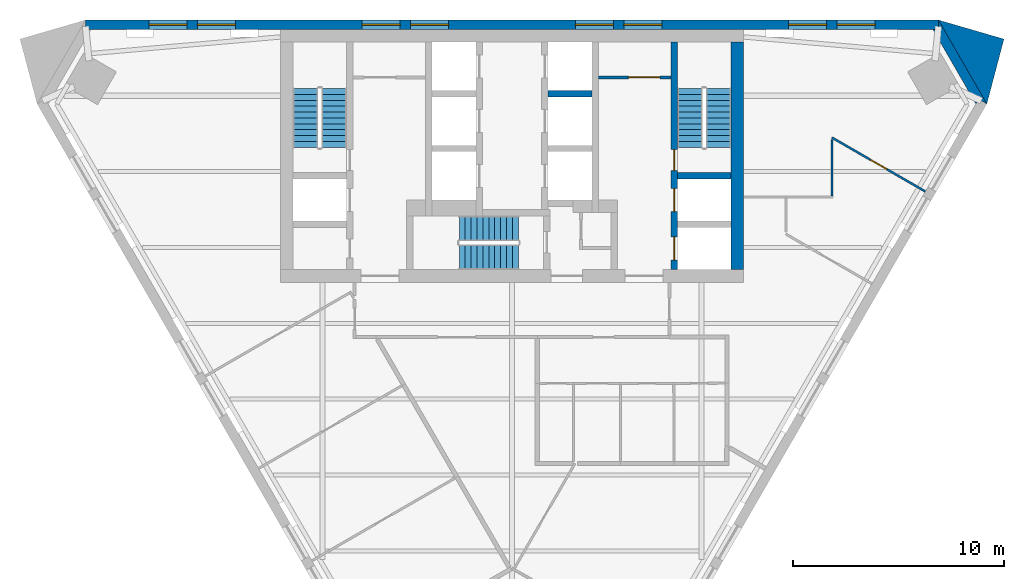
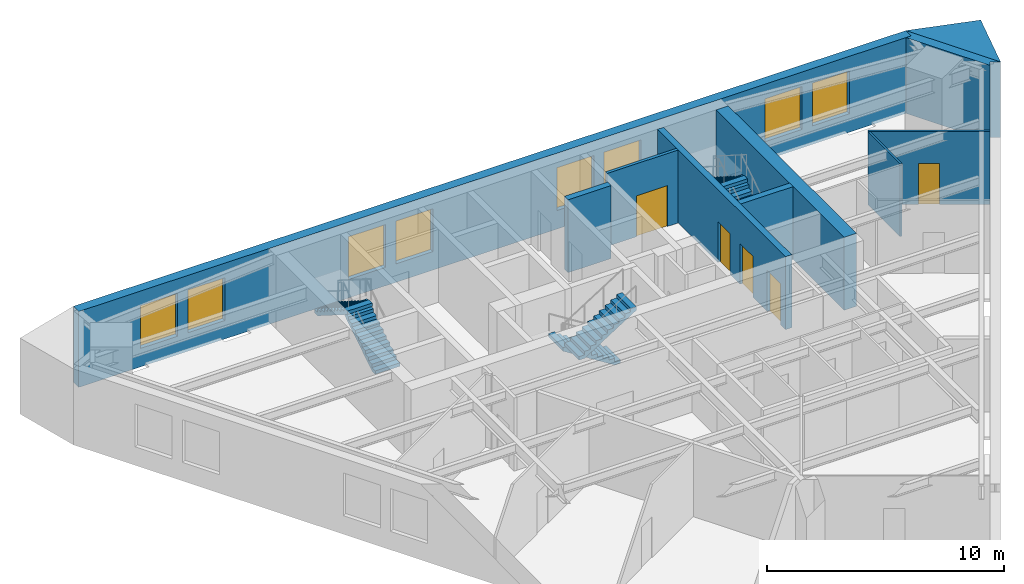
# One storey, part 5 of 7: 10 walls, 8 windows, 6 stair flights, 5 doors, 13 openings, 3 elements without a shape of their own.
"""IFC4 building model written with IfcOpenShell, lengths in metres."""

from ifc_helpers import new_model, si_unit, direction, frame, frame_2d, origin, place, context, subcontext, project, spatial, polyline, rectangle, outline, extrude, material, layer, layer_set, type_object, element, fill, aggregate, save


model = new_model("IFC4")

# Units and contexts
model_context = context("Model", 3, precision=1e-05, world=origin(), true_north=direction((0.0, 1.0)))
body_context = subcontext(model_context, "Body", "Model", "MODEL_VIEW")
ifc_project = project(units=[si_unit("LENGTHUNIT", "METRE"), si_unit("AREAUNIT", "SQUARE_METRE"), si_unit("VOLUMEUNIT", "CUBIC_METRE"), si_unit("PLANEANGLEUNIT", "RADIAN"), si_unit("MASSUNIT", "GRAM", prefix="KILO")], contexts=[model_context])

# Site, building, storey
site_placement = place(None, origin())
site = spatial("IfcSite", under=ifc_project, at=site_placement, CompositionType="ELEMENT")
building_placement = place(site_placement, origin())
building = spatial("IfcBuilding", under=site, at=building_placement, Name="Aloe Facet Convention Tower", CompositionType="ELEMENT")
storey_placement = place(building_placement, frame((0.0, 0.0, 155.89990234375)))
storey = spatial("IfcBuildingStorey", under=building, at=storey_placement, Name="L39", CompositionType="ELEMENT", Elevation=155.89990234375)

# Wall, opening, door
ifc_material_1 = material(Name="Concrete blockwork partition", Category="masonry")
ifc_layer_1 = layer(ifc_material_1, 0.14990234375)
ifc_layer_set_1 = layer_set([ifc_layer_1], Name="CR-W-PART150")
wall_type_1 = type_object("IfcWallType", Name="CR-W-PART150", PredefinedType="PARTITIONING", material=ifc_layer_set_1)
wall_1_placement = place(storey_placement, frame((84.10009765625, 132.27490234375, 0.0), z_axis=(0.0, 0.0, 1.0), x_axis=(1.0, 0.0, 0.0)))
wall_1 = element("IfcWall", 1, at=wall_1_placement, inside=storey, type_object=wall_type_1, Name="Core partition L39-025", PredefinedType="PARTITIONING", context=body_context, shape_type="SweptSolid", body=[
    extrude(rectangle(XDim=3.449951171875, YDim=0.14990234375, at=frame_2d((1.72509765625, 0.0))), origin(), (0.0, 0.0, 1.0), 3.75),
])
opening_1_placement = place(wall_1_placement, frame((1.425048828125, 0.0, 0.0)))
opening_1 = element("IfcOpeningElement", 2, at=opening_1_placement, cuts=wall_1, Name="Opening L39-CD13", PredefinedType="OPENING", context=body_context, shape_type="SweptSolid", body=[
    extrude(rectangle(XDim=1.5, YDim=2.10009765625, at=frame_2d((0.75, 1.050048828125))), frame((0.0, 0.0849609375, 0.0), z_axis=(0.0, -1.0, 0.0), x_axis=(1.0, 0.0, 0.0)), (0.0, 0.0, 1.0), 0.169921875),
])
ifc_material_2 = material(Name="Steel fire-resisting door set FD60", Category="steel")
door_type_1 = type_object("IfcDoorType", Name="CR-D-REFUGE-1500-FD60-DD", OperationType="DOUBLE_DOOR_DOUBLE_SWING", PredefinedType="DOOR", material=ifc_material_2)
door_1_placement = place(opening_1_placement, origin())
door_1 = element("IfcDoor", 3, at=door_1_placement, inside=storey, type_object=door_type_1, Name="Core door L39-CD13", OperationType="DOUBLE_DOOR_DOUBLE_SWING", OverallHeight=2.10009765625, OverallWidth=1.5, PredefinedType="DOOR", context=body_context, shape_type="SweptSolid", body=[
    extrude(rectangle(XDim=1.5, YDim=2.10009765625, at=frame_2d((0.75, 1.050048828125))), frame((0.0, 0.02490234375, 0.0), z_axis=(0.0, -1.0, 0.0), x_axis=(1.0, 0.0, 0.0)), (0.0, 0.0, 1.0), 0.050048828125),
])
fill(opening_1, door_1)

# Wall
ifc_material_3 = material(Name="Concrete C60/75", Category="concrete")
ifc_layer_2 = layer(ifc_material_3, 0.300048828125)
ifc_layer_set_2 = layer_set([ifc_layer_2], Name="CR-W-RC300-C6075")
wall_type_2 = type_object("IfcWallType", Name="CR-W-RC300-C6075", PredefinedType="SOLIDWALL", material=ifc_layer_set_2)
wall_2_placement = place(storey_placement, frame((81.699951171875, 131.5, 0.0), z_axis=(0.0, 0.0, 1.0), x_axis=(1.0, 0.0, 0.0)))
element("IfcWall", 4, at=wall_2_placement, inside=storey, type_object=wall_type_2, Name="Core wall L39-018", PredefinedType="SOLIDWALL", context=body_context, shape_type="SweptSolid", body=[
    extrude(rectangle(XDim=2.10009765625, YDim=0.300048828125, at=frame_2d((1.050048828125, 0.0))), origin(), (0.0, 0.0, 1.0), 3.75),
])

# Wall, openings, doors
wall_3_placement = place(storey_placement, frame((87.699951171875, 133.949951171875, 0.0), z_axis=(0.0, 0.0, 1.0), x_axis=(0.0, -1.0, 0.0)))
wall_3 = element("IfcWall", 5, at=wall_3_placement, inside=storey, type_object=wall_type_2, Name="Core wall L39-028", PredefinedType="SOLIDWALL", context=body_context, shape_type="SweptSolid", body=[
    extrude(rectangle(XDim=10.800048828125, YDim=0.300048828125, at=frame_2d((5.39990234375, 0.0))), origin(), (0.0, 0.0, 1.0), 3.75),
])
opening_2_placement = place(wall_3_placement, frame((6.949951171875, 0.0, 0.0)))
opening_2 = element("IfcOpeningElement", 6, at=opening_2_placement, cuts=wall_3, Name="Opening LD-FF2-L39", PredefinedType="OPENING", context=body_context, shape_type="SweptSolid", body=[
    extrude(rectangle(XDim=1.10009765625, YDim=2.10009765625, at=frame_2d((0.550048828125, 1.050048828125))), frame((0.0, 0.16015625, 0.0), z_axis=(0.0, -1.0, 0.0), x_axis=(1.0, 0.0, 0.0)), (0.0, 0.0, 1.0), 0.320068359375),
])
opening_3_placement = place(wall_3_placement, frame((5.10009765625, 0.0, 0.0)))
opening_3 = element("IfcOpeningElement", 7, at=opening_3_placement, cuts=wall_3, Name="Opening L39-CD17", PredefinedType="OPENING", context=body_context, shape_type="SweptSolid", body=[
    extrude(rectangle(XDim=1.0, YDim=2.10009765625, at=frame_2d((0.5, 1.050048828125))), frame((0.0, 0.16015625, 0.0), z_axis=(0.0, -1.0, 0.0), x_axis=(1.0, 0.0, 0.0)), (0.0, 0.0, 1.0), 0.320068359375),
])
opening_4_placement = place(wall_3_placement, frame((9.25, 0.0, 0.0)))
opening_4 = element("IfcOpeningElement", 8, at=opening_4_placement, cuts=wall_3, Name="Opening LD-SV1-L39", PredefinedType="OPENING", context=body_context, shape_type="SweptSolid", body=[
    extrude(rectangle(XDim=1.10009765625, YDim=2.10009765625, at=frame_2d((0.550048828125, 1.050048828125))), frame((0.0, 0.16015625, 0.0), z_axis=(0.0, -1.0, 0.0), x_axis=(1.0, 0.0, 0.0)), (0.0, 0.0, 1.0), 0.320068359375),
])
ifc_material_4 = material(Name="Steel fire-resisting door set FD120", Category="steel")
door_type_2 = type_object("IfcDoorType", Name="CR-D-STAIR-1000-FD120-SLEFT", OperationType="SINGLE_SWING_LEFT", PredefinedType="DOOR", material=ifc_material_4)
door_2_placement = place(opening_3_placement, origin())
door_2 = element("IfcDoor", 9, at=door_2_placement, inside=storey, type_object=door_type_2, Name="Core door L39-CD17", OperationType="SINGLE_SWING_LEFT", OverallHeight=2.10009765625, OverallWidth=1.0, PredefinedType="DOOR", context=body_context, shape_type="SweptSolid", body=[
    extrude(rectangle(XDim=1.0, YDim=2.10009765625, at=frame_2d((0.5, 1.050048828125))), frame((0.0, 0.02490234375, 0.0), z_axis=(0.0, -1.0, 0.0), x_axis=(1.0, 0.0, 0.0)), (0.0, 0.0, 1.0), 0.050048828125),
])
fill(opening_3, door_2)
ifc_material_5 = material(Name="Stainless steel sliding landing door", Category="steel")
door_type_3 = type_object("IfcDoorType", Name="CR-LD-1100-FD120-_LEFT", OperationType="SLIDING_TO_LEFT", PredefinedType="DOOR", material=ifc_material_5)
door_3_placement = place(opening_2_placement, origin())
door_3 = element("IfcDoor", 10, at=door_3_placement, inside=storey, type_object=door_type_3, Name="Landing door FF2 L39", OperationType="SLIDING_TO_LEFT", OverallHeight=2.10009765625, OverallWidth=1.10009765625, PredefinedType="DOOR", context=body_context, shape_type="SweptSolid", body=[
    extrude(rectangle(XDim=1.10009765625, YDim=2.10009765625, at=frame_2d((0.550048828125, 1.050048828125))), frame((0.0, 0.02490234375, 0.0), z_axis=(0.0, -1.0, 0.0), x_axis=(1.0, 0.0, 0.0)), (0.0, 0.0, 1.0), 0.050048828125),
])
fill(opening_2, door_3)
door_4_placement = place(opening_4_placement, origin())
door_4 = element("IfcDoor", 11, at=door_4_placement, inside=storey, type_object=door_type_3, Name="Landing door SV1 L39", OperationType="SLIDING_TO_LEFT", OverallHeight=2.10009765625, OverallWidth=1.10009765625, PredefinedType="DOOR", context=body_context, shape_type="SweptSolid", body=[
    extrude(rectangle(XDim=1.10009765625, YDim=2.10009765625, at=frame_2d((0.550048828125, 1.050048828125))), frame((0.0, 0.02490234375, 0.0), z_axis=(0.0, -1.0, 0.0), x_axis=(1.0, 0.0, 0.0)), (0.0, 0.0, 1.0), 0.050048828125),
])
fill(opening_4, door_4)

# Walls
wall_4_placement = place(storey_placement, frame((87.85009765625, 127.60009765625, 0.0), z_axis=(0.0, 0.0, 1.0), x_axis=(1.0, 0.0, 0.0)))
element("IfcWall", 12, at=wall_4_placement, inside=storey, type_object=wall_type_2, Name="Core wall L39-029", PredefinedType="SOLIDWALL", context=body_context, shape_type="SweptSolid", body=[
    extrude(rectangle(XDim=2.5498046875, YDim=0.300048828125, at=frame_2d((1.27490234375, 0.0))), origin(), (0.0, 0.0, 1.0), 3.75),
])
ifc_material_6 = material(Name="Concrete C60/75", Category="concrete")
ifc_layer_3 = layer(ifc_material_6, 0.60009765625)
ifc_layer_set_3 = layer_set([ifc_layer_3], Name="CR-W-RC600-C6075")
wall_type_3 = type_object("IfcWallType", Name="CR-W-RC600-C6075", PredefinedType="SOLIDWALL", material=ifc_layer_set_3)
wall_5_placement = place(storey_placement, frame((90.699951171875, 133.949951171875, 0.0), z_axis=(0.0, 0.0, 1.0), x_axis=(0.0, -1.0, 0.0)))
element("IfcWall", 13, at=wall_5_placement, inside=storey, type_object=wall_type_3, Name="Core wall L39-031", PredefinedType="SOLIDWALL", context=body_context, shape_type="SweptSolid", body=[
    extrude(rectangle(XDim=10.800048828125, YDim=0.60009765625, at=frame_2d((5.39990234375, 0.0))), origin(), (0.0, 0.0, 1.0), 3.75),
])
ifc_material_7 = material(Name="Precast concrete C40/50", Category="concrete")
ifc_layer_4 = layer(ifc_material_7, 0.449951171875)
ifc_layer_set_4 = layer_set([ifc_layer_4], Name="EV-WALL-PIER")
wall_type_4 = type_object("IfcWallType", Name="EV-WALL-PIER", PredefinedType="SOLIDWALL", material=ifc_layer_set_4)
wall_6_placement = place(storey_placement, frame((0.0, 0.0, -0.14990234375)))
element("IfcWall", 14, at=wall_6_placement, inside=storey, type_object=wall_type_4, Name="EP-L39-C", PredefinedType="SOLIDWALL", context=body_context, shape_type="SweptSolid", body=[
    extrude(outline(polyline([(102.54296875, 131.016357421875), (102.1533203125, 131.2412109375), (102.0234375, 131.016357421875), (99.983154296875, 134.550048828125), (100.2431640625, 134.550048828125), (100.2431640625, 135.0), (102.54296875, 131.016357421875)])), origin(), (0.0, 0.0, 1.0), 3.89990234375),
])
ifc_material_8 = material(Name="Precast concrete C40/50", Category="concrete")
ifc_layer_5 = layer(ifc_material_8, 3.947998046875)
ifc_layer_set_5 = layer_set([ifc_layer_5], Name="EV-WALL-SPINE")
wall_type_5 = type_object("IfcWallType", Name="EV-WALL-SPINE", PredefinedType="SOLIDWALL", material=ifc_layer_set_5)
wall_7_placement = place(storey_placement, frame((0.0, 0.0, -0.14990234375)))
element("IfcWall", 15, at=wall_7_placement, inside=storey, type_object=wall_type_5, Name="SP-NE-L39", PredefinedType="SOLIDWALL", context=body_context, shape_type="SweptSolid", body=[
    extrude(outline(polyline([(102.54296875, 131.016357421875), (103.3564453125, 134.095703125), (100.2431640625, 135.0), (102.54296875, 131.016357421875)])), origin(), (0.0, 0.0, 1.0), 3.89990234375),
])

# Wall, openings, windows
ifc_material_9 = material(Name="Precast concrete C40/50", Category="concrete")
ifc_layer_6 = layer(ifc_material_9, 0.449951171875)
ifc_layer_set_6 = layer_set([ifc_layer_6], Name="EV-WALL-STONE")
wall_type_6 = type_object("IfcWallType", Name="EV-WALL-STONE", PredefinedType="SOLIDWALL", material=ifc_layer_set_6)
wall_8_placement = place(storey_placement, frame((100.2431640625, 134.77490234375, -0.14990234375), z_axis=(0.0, 0.0, 1.0), x_axis=(-1.0, 0.0, 0.0)))
wall_8 = element("IfcWall", 16, at=wall_8_placement, inside=storey, type_object=wall_type_6, Name="EW-L39-N01", PredefinedType="SOLIDWALL", context=body_context, shape_type="SweptSolid", body=[
    extrude(outline(polyline([(40.486083984375, 0.0), (40.486083984375, 3.89990234375), (0.0, 3.89990234375), (0.0, 0.0), (40.486083984375, 0.0)])), frame((0.0, 0.22509765625, 0.0), z_axis=(0.0, -1.0, 0.0), x_axis=(1.0, 0.0, 0.0)), (0.0, 0.0, 1.0), 0.449951171875),
])
opening_5_placement = place(wall_8_placement, frame((3.0107421875, 0.0, 0.949951171875)))
opening_5 = element("IfcOpeningElement", 17, at=opening_5_placement, cuts=wall_8, Name="Opening W-L39-N01", PredefinedType="OPENING", context=body_context, shape_type="SweptSolid", body=[
    extrude(rectangle(XDim=1.800048828125, YDim=2.199951171875, at=frame_2d((0.89990234375, 1.10009765625))), frame((0.0, 0.23486328125, 0.0), z_axis=(0.0, -1.0, 0.0), x_axis=(1.0, 0.0, 0.0)), (0.0, 0.0, 1.0), 0.469970703125),
])
opening_6_placement = place(wall_8_placement, frame((5.310791015625, 0.0, 0.949951171875)))
opening_6 = element("IfcOpeningElement", 18, at=opening_6_placement, cuts=wall_8, Name="Opening W-L39-N02", PredefinedType="OPENING", context=body_context, shape_type="SweptSolid", body=[
    extrude(rectangle(XDim=1.800048828125, YDim=2.199951171875, at=frame_2d((0.89990234375, 1.10009765625))), frame((0.0, 0.23486328125, 0.0), z_axis=(0.0, -1.0, 0.0), x_axis=(1.0, 0.0, 0.0)), (0.0, 0.0, 1.0), 0.469970703125),
])
opening_7_placement = place(wall_8_placement, frame((13.13232421875, 0.0, 0.949951171875)))
opening_7 = element("IfcOpeningElement", 19, at=opening_7_placement, cuts=wall_8, Name="Opening W-L39-N03", PredefinedType="OPENING", context=body_context, shape_type="SweptSolid", body=[
    extrude(rectangle(XDim=1.800048828125, YDim=2.199951171875, at=frame_2d((0.89990234375, 1.10009765625))), frame((0.0, 0.23486328125, 0.0), z_axis=(0.0, -1.0, 0.0), x_axis=(1.0, 0.0, 0.0)), (0.0, 0.0, 1.0), 0.469970703125),
])
opening_8_placement = place(wall_8_placement, frame((15.432373046875, 0.0, 0.949951171875)))
opening_8 = element("IfcOpeningElement", 20, at=opening_8_placement, cuts=wall_8, Name="Opening W-L39-N04", PredefinedType="OPENING", context=body_context, shape_type="SweptSolid", body=[
    extrude(rectangle(XDim=1.800048828125, YDim=2.199951171875, at=frame_2d((0.89990234375, 1.10009765625))), frame((0.0, 0.23486328125, 0.0), z_axis=(0.0, -1.0, 0.0), x_axis=(1.0, 0.0, 0.0)), (0.0, 0.0, 1.0), 0.469970703125),
])
opening_9_placement = place(wall_8_placement, frame((23.25390625, 0.0, 0.949951171875)))
opening_9 = element("IfcOpeningElement", 21, at=opening_9_placement, cuts=wall_8, Name="Opening W-L39-N05", PredefinedType="OPENING", context=body_context, shape_type="SweptSolid", body=[
    extrude(rectangle(XDim=1.800048828125, YDim=2.199951171875, at=frame_2d((0.89990234375, 1.10009765625))), frame((0.0, 0.23486328125, 0.0), z_axis=(0.0, -1.0, 0.0), x_axis=(1.0, 0.0, 0.0)), (0.0, 0.0, 1.0), 0.469970703125),
])
opening_10_placement = place(wall_8_placement, frame((25.553955078125, 0.0, 0.949951171875)))
opening_10 = element("IfcOpeningElement", 22, at=opening_10_placement, cuts=wall_8, Name="Opening W-L39-N06", PredefinedType="OPENING", context=body_context, shape_type="SweptSolid", body=[
    extrude(rectangle(XDim=1.800048828125, YDim=2.199951171875, at=frame_2d((0.89990234375, 1.10009765625))), frame((0.0, 0.23486328125, 0.0), z_axis=(0.0, -1.0, 0.0), x_axis=(1.0, 0.0, 0.0)), (0.0, 0.0, 1.0), 0.469970703125),
])
opening_11_placement = place(wall_8_placement, frame((33.37548828125, 0.0, 0.949951171875)))
opening_11 = element("IfcOpeningElement", 23, at=opening_11_placement, cuts=wall_8, Name="Opening W-L39-N07", PredefinedType="OPENING", context=body_context, shape_type="SweptSolid", body=[
    extrude(rectangle(XDim=1.800048828125, YDim=2.199951171875, at=frame_2d((0.89990234375, 1.10009765625))), frame((0.0, 0.23486328125, 0.0), z_axis=(0.0, -1.0, 0.0), x_axis=(1.0, 0.0, 0.0)), (0.0, 0.0, 1.0), 0.469970703125),
])
opening_12_placement = place(wall_8_placement, frame((35.67529296875, 0.0, 0.949951171875)))
opening_12 = element("IfcOpeningElement", 24, at=opening_12_placement, cuts=wall_8, Name="Opening W-L39-N08", PredefinedType="OPENING", context=body_context, shape_type="SweptSolid", body=[
    extrude(rectangle(XDim=1.800048828125, YDim=2.199951171875, at=frame_2d((0.89990234375, 1.10009765625))), frame((0.0, 0.23486328125, 0.0), z_axis=(0.0, -1.0, 0.0), x_axis=(1.0, 0.0, 0.0)), (0.0, 0.0, 1.0), 0.469970703125),
])
ifc_material_10 = material(Name="Aluminium frame, clear double glazing", Category="aluminium")
window_type = type_object("IfcWindowType", Name="EV-WIN-O18", PartitioningType="SINGLE_PANEL", PredefinedType="WINDOW", material=ifc_material_10)
window_1_placement = place(opening_5_placement, origin())
window_1 = element("IfcWindow", 25, at=window_1_placement, inside=storey, type_object=window_type, Name="W-L39-N01", OverallHeight=2.199951171875, OverallWidth=1.800048828125, PartitioningType="SINGLE_PANEL", PredefinedType="WINDOW", context=body_context, shape_type="SweptSolid", body=[
    extrude(rectangle(XDim=1.800048828125, YDim=2.199951171875, at=frame_2d((0.89990234375, 1.10009765625))), frame((0.0, 0.030029296875, 0.0), z_axis=(0.0, -1.0, 0.0), x_axis=(1.0, 0.0, 0.0)), (0.0, 0.0, 1.0), 0.06005859375),
])
fill(opening_5, window_1)
window_2_placement = place(opening_6_placement, origin())
window_2 = element("IfcWindow", 26, at=window_2_placement, inside=storey, type_object=window_type, Name="W-L39-N02", OverallHeight=2.199951171875, OverallWidth=1.800048828125, PartitioningType="SINGLE_PANEL", PredefinedType="WINDOW", context=body_context, shape_type="SweptSolid", body=[
    extrude(rectangle(XDim=1.800048828125, YDim=2.199951171875, at=frame_2d((0.89990234375, 1.10009765625))), frame((0.0, 0.030029296875, 0.0), z_axis=(0.0, -1.0, 0.0), x_axis=(1.0, 0.0, 0.0)), (0.0, 0.0, 1.0), 0.06005859375),
])
fill(opening_6, window_2)
window_3_placement = place(opening_7_placement, origin())
window_3 = element("IfcWindow", 27, at=window_3_placement, inside=storey, type_object=window_type, Name="W-L39-N03", OverallHeight=2.199951171875, OverallWidth=1.800048828125, PartitioningType="SINGLE_PANEL", PredefinedType="WINDOW", context=body_context, shape_type="SweptSolid", body=[
    extrude(rectangle(XDim=1.800048828125, YDim=2.199951171875, at=frame_2d((0.89990234375, 1.10009765625))), frame((0.0, 0.030029296875, 0.0), z_axis=(0.0, -1.0, 0.0), x_axis=(1.0, 0.0, 0.0)), (0.0, 0.0, 1.0), 0.06005859375),
])
fill(opening_7, window_3)
window_4_placement = place(opening_8_placement, origin())
window_4 = element("IfcWindow", 28, at=window_4_placement, inside=storey, type_object=window_type, Name="W-L39-N04", OverallHeight=2.199951171875, OverallWidth=1.800048828125, PartitioningType="SINGLE_PANEL", PredefinedType="WINDOW", context=body_context, shape_type="SweptSolid", body=[
    extrude(rectangle(XDim=1.800048828125, YDim=2.199951171875, at=frame_2d((0.89990234375, 1.10009765625))), frame((0.0, 0.030029296875, 0.0), z_axis=(0.0, -1.0, 0.0), x_axis=(1.0, 0.0, 0.0)), (0.0, 0.0, 1.0), 0.06005859375),
])
fill(opening_8, window_4)
window_5_placement = place(opening_9_placement, origin())
window_5 = element("IfcWindow", 29, at=window_5_placement, inside=storey, type_object=window_type, Name="W-L39-N05", OverallHeight=2.199951171875, OverallWidth=1.800048828125, PartitioningType="SINGLE_PANEL", PredefinedType="WINDOW", context=body_context, shape_type="SweptSolid", body=[
    extrude(rectangle(XDim=1.800048828125, YDim=2.199951171875, at=frame_2d((0.89990234375, 1.10009765625))), frame((0.0, 0.030029296875, 0.0), z_axis=(0.0, -1.0, 0.0), x_axis=(1.0, 0.0, 0.0)), (0.0, 0.0, 1.0), 0.06005859375),
])
fill(opening_9, window_5)
window_6_placement = place(opening_10_placement, origin())
window_6 = element("IfcWindow", 30, at=window_6_placement, inside=storey, type_object=window_type, Name="W-L39-N06", OverallHeight=2.199951171875, OverallWidth=1.800048828125, PartitioningType="SINGLE_PANEL", PredefinedType="WINDOW", context=body_context, shape_type="SweptSolid", body=[
    extrude(rectangle(XDim=1.800048828125, YDim=2.199951171875, at=frame_2d((0.89990234375, 1.10009765625))), frame((0.0, 0.030029296875, 0.0), z_axis=(0.0, -1.0, 0.0), x_axis=(1.0, 0.0, 0.0)), (0.0, 0.0, 1.0), 0.06005859375),
])
fill(opening_10, window_6)
window_7_placement = place(opening_11_placement, origin())
window_7 = element("IfcWindow", 31, at=window_7_placement, inside=storey, type_object=window_type, Name="W-L39-N07", OverallHeight=2.199951171875, OverallWidth=1.800048828125, PartitioningType="SINGLE_PANEL", PredefinedType="WINDOW", context=body_context, shape_type="SweptSolid", body=[
    extrude(rectangle(XDim=1.800048828125, YDim=2.199951171875, at=frame_2d((0.89990234375, 1.10009765625))), frame((0.0, 0.030029296875, 0.0), z_axis=(0.0, -1.0, 0.0), x_axis=(1.0, 0.0, 0.0)), (0.0, 0.0, 1.0), 0.06005859375),
])
fill(opening_11, window_7)
window_8_placement = place(opening_12_placement, origin())
window_8 = element("IfcWindow", 32, at=window_8_placement, inside=storey, type_object=window_type, Name="W-L39-N08", OverallHeight=2.199951171875, OverallWidth=1.800048828125, PartitioningType="SINGLE_PANEL", PredefinedType="WINDOW", context=body_context, shape_type="SweptSolid", body=[
    extrude(rectangle(XDim=1.800048828125, YDim=2.199951171875, at=frame_2d((0.89990234375, 1.10009765625))), frame((0.0, 0.030029296875, 0.0), z_axis=(0.0, -1.0, 0.0), x_axis=(1.0, 0.0, 0.0)), (0.0, 0.0, 1.0), 0.06005859375),
])
fill(opening_12, window_8)

# Wall, opening, door
ifc_material_11 = material(Name="Gypsum board partition on steel studs", Category="steel")
ifc_layer_7 = layer(ifc_material_11, 0.10009765625)
ifc_layer_set_7 = layer_set([ifc_layer_7], Name="IN-W-PART")
wall_type_7 = type_object("IfcWallType", Name="IN-W-PART", PredefinedType="PARTITIONING", material=ifc_layer_set_7)
wall_9_placement = place(storey_placement, frame((95.185302734375, 129.420654296875, 0.0), z_axis=(0.0, 0.0, 1.0), x_axis=(0.866034781647, -0.499983756713, 0.0)))
wall_9 = element("IfcWall", 33, at=wall_9_placement, inside=storey, type_object=wall_type_7, Name="Partition L39-W044", PredefinedType="PARTITIONING", context=body_context, shape_type="SweptSolid", body=[
    extrude(rectangle(XDim=5.122314453125, YDim=0.10009765625, at=frame_2d((2.56103515625, 0.0))), origin(), (0.0, 0.0, 1.0), 3.75),
])
opening_13_placement = place(wall_9_placement, frame((2.111083984375, 0.0, 0.0)))
opening_13 = element("IfcOpeningElement", 34, at=opening_13_placement, cuts=wall_9, Name="Opening L39-014", PredefinedType="OPENING", context=body_context, shape_type="SweptSolid", body=[
    extrude(rectangle(XDim=0.89990234375, YDim=2.10009765625, at=frame_2d((0.449951171875, 1.050048828125))), frame((0.0, 0.06005859375, 0.0), z_axis=(0.0, -1.0, 0.0), x_axis=(1.0, 0.0, 0.0)), (0.0, 0.0, 1.0), 0.1201171875),
])
ifc_material_12 = material(Name="Timber door", Category="wood")
door_type_4 = type_object("IfcDoorType", Name="IN-OFF-D-ROOM", OperationType="SINGLE_SWING_LEFT", PredefinedType="DOOR", material=ifc_material_12)
door_5_placement = place(opening_13_placement, origin())
door_5 = element("IfcDoor", 35, at=door_5_placement, inside=storey, type_object=door_type_4, Name="Door L39-014", OperationType="SINGLE_SWING_LEFT", OverallHeight=2.10009765625, OverallWidth=0.89990234375, PredefinedType="DOOR", context=body_context, shape_type="SweptSolid", body=[
    extrude(rectangle(XDim=0.89990234375, YDim=2.10009765625, at=frame_2d((0.449951171875, 1.050048828125))), frame((0.0, 0.02490234375, 0.0), z_axis=(0.0, -1.0, 0.0), x_axis=(1.0, 0.0, 0.0)), (0.0, 0.0, 1.0), 0.050048828125),
])
fill(opening_13, door_5)

# Wall
wall_10_placement = place(storey_placement, frame((95.182373046875, 126.64990234375, 0.0), z_axis=(0.0, 0.0, 1.0), x_axis=(0.001091404534, 0.999999404418, 0.0)))
element("IfcWall", 36, at=wall_10_placement, inside=storey, type_object=wall_type_7, Name="Partition L39-W045", PredefinedType="PARTITIONING", context=body_context, shape_type="SweptSolid", body=[
    extrude(rectangle(XDim=2.684326171875, YDim=0.10009765625, at=frame_2d((1.34228515625, 0.0))), origin(), (0.0, 0.0, 1.0), 3.75),
])

# Stair, stair flights
ifc_material_13 = material(Name="Concrete C50/60", Category="concrete")
stair_type = type_object("IfcStairType", Name="CR-ST-22R", PredefinedType="HALF_TURN_STAIR", material=ifc_material_13)
stair_1_placement = place(storey_placement, origin())
stair_1 = element("IfcStair", 37, at=stair_1_placement, inside=storey, type_object=stair_type, Name="L39 Protected exit stair ST1", PredefinedType="HALF_TURN_STAIR")
ifc_material_14 = material(Name="Concrete C50/60", Category="concrete")
stair_flight_type = type_object("IfcStairFlightType", Name="CR-SFL-22R", PredefinedType="STRAIGHT", material=ifc_material_14)
stair_flight_1_placement = place(storey_placement, frame((71.550048828125, 128.949951171875, 0.0), z_axis=(0.0, 0.0, 1.0), x_axis=(0.0, 1.0, 0.0)))
stair_flight_1 = element("IfcStairFlight", 38, at=stair_flight_1_placement, type_object=stair_flight_type, Name="ST1 flight 1", NumberOfRisers=11, NumberOfTreads=10, PredefinedType="STRAIGHT", RiserHeight=0.177272727, TreadLength=0.28, context=body_context, shape_type="SweptSolid", body=[
    extrude(outline(polyline([(0.0, 0.0), (0.0, 0.17724609375), (0.280029296875, 0.17724609375), (0.280029296875, 0.3544921875), (0.56005859375, 0.3544921875), (0.56005859375, 0.53173828125), (0.840087890625, 0.53173828125), (0.840087890625, 0.708984375), (1.1201171875, 0.708984375), (1.1201171875, 0.886474609375), (1.39990234375, 0.886474609375), (1.39990234375, 1.063720703125), (1.679931640625, 1.063720703125), (1.679931640625, 1.240966796875), (1.9599609375, 1.240966796875), (1.9599609375, 1.418212890625), (2.239990234375, 1.418212890625), (2.239990234375, 1.595458984375), (2.52001953125, 1.595458984375), (2.52001953125, 1.772705078125), (2.800048828125, 1.772705078125), (2.800048828125, 1.949951171875), (2.800048828125, 1.59521484375), (0.2802734375, 0.0), (0.0, 0.0)])), frame((0.0, 0.60009765625, 0.0), z_axis=(0.0, -1.0, 0.0), x_axis=(1.0, 0.0, 0.0)), (0.0, 0.0, 1.0), 1.199951171875),
])
stair_flight_2_placement = place(storey_placement, frame((70.199951171875, 131.75, 1.9501953125), z_axis=(0.0, 0.0, 1.0), x_axis=(0.0, -1.0, 0.0)))
stair_flight_2 = element("IfcStairFlight", 39, at=stair_flight_2_placement, type_object=stair_flight_type, Name="ST1 flight 2", NumberOfRisers=11, NumberOfTreads=10, PredefinedType="STRAIGHT", RiserHeight=0.177272727, TreadLength=0.28, context=body_context, shape_type="SweptSolid", body=[
    extrude(outline(polyline([(0.0, 0.0), (0.0, 0.17724609375), (0.280029296875, 0.17724609375), (0.280029296875, 0.3544921875), (0.56005859375, 0.3544921875), (0.56005859375, 0.53173828125), (0.840087890625, 0.53173828125), (0.840087890625, 0.708984375), (1.1201171875, 0.708984375), (1.1201171875, 0.886474609375), (1.39990234375, 0.886474609375), (1.39990234375, 1.063720703125), (1.679931640625, 1.063720703125), (1.679931640625, 1.240966796875), (1.9599609375, 1.240966796875), (1.9599609375, 1.418212890625), (2.239990234375, 1.418212890625), (2.239990234375, 1.595458984375), (2.52001953125, 1.595458984375), (2.52001953125, 1.772705078125), (2.800048828125, 1.772705078125), (2.800048828125, 1.949951171875), (2.800048828125, 1.59521484375), (0.2802734375, 0.0), (0.0, 0.0)])), frame((0.0, 0.60009765625, 0.0), z_axis=(0.0, -1.0, 0.0), x_axis=(1.0, 0.0, 0.0)), (0.0, 0.0, 1.0), 1.199951171875),
])
aggregate(stair_1, [stair_flight_1, stair_flight_2])

stair_2_placement = place(storey_placement, origin())
stair_2 = element("IfcStair", 40, at=stair_2_placement, inside=storey, type_object=stair_type, Name="L39 Protected exit stair ST2", PredefinedType="HALF_TURN_STAIR")
stair_flight_3_placement = place(storey_placement, frame((89.800048828125, 128.949951171875, 0.0), z_axis=(0.0, 0.0, 1.0), x_axis=(0.0, 1.0, 0.0)))
stair_flight_3 = element("IfcStairFlight", 41, at=stair_flight_3_placement, type_object=stair_flight_type, Name="ST2 flight 1", NumberOfRisers=11, NumberOfTreads=10, PredefinedType="STRAIGHT", RiserHeight=0.177272727, TreadLength=0.28, context=body_context, shape_type="SweptSolid", body=[
    extrude(outline(polyline([(0.0, 0.0), (0.0, 0.17724609375), (0.280029296875, 0.17724609375), (0.280029296875, 0.3544921875), (0.56005859375, 0.3544921875), (0.56005859375, 0.53173828125), (0.840087890625, 0.53173828125), (0.840087890625, 0.708984375), (1.1201171875, 0.708984375), (1.1201171875, 0.886474609375), (1.39990234375, 0.886474609375), (1.39990234375, 1.063720703125), (1.679931640625, 1.063720703125), (1.679931640625, 1.240966796875), (1.9599609375, 1.240966796875), (1.9599609375, 1.418212890625), (2.239990234375, 1.418212890625), (2.239990234375, 1.595458984375), (2.52001953125, 1.595458984375), (2.52001953125, 1.772705078125), (2.800048828125, 1.772705078125), (2.800048828125, 1.949951171875), (2.800048828125, 1.59521484375), (0.2802734375, 0.0), (0.0, 0.0)])), frame((0.0, 0.60009765625, 0.0), z_axis=(0.0, -1.0, 0.0), x_axis=(1.0, 0.0, 0.0)), (0.0, 0.0, 1.0), 1.199951171875),
])
stair_flight_4_placement = place(storey_placement, frame((88.449951171875, 131.75, 1.9501953125), z_axis=(0.0, 0.0, 1.0), x_axis=(0.0, -1.0, 0.0)))
stair_flight_4 = element("IfcStairFlight", 42, at=stair_flight_4_placement, type_object=stair_flight_type, Name="ST2 flight 2", NumberOfRisers=11, NumberOfTreads=10, PredefinedType="STRAIGHT", RiserHeight=0.177272727, TreadLength=0.28, context=body_context, shape_type="SweptSolid", body=[
    extrude(outline(polyline([(0.0, 0.0), (0.0, 0.17724609375), (0.280029296875, 0.17724609375), (0.280029296875, 0.3544921875), (0.56005859375, 0.3544921875), (0.56005859375, 0.53173828125), (0.840087890625, 0.53173828125), (0.840087890625, 0.708984375), (1.1201171875, 0.708984375), (1.1201171875, 0.886474609375), (1.39990234375, 0.886474609375), (1.39990234375, 1.063720703125), (1.679931640625, 1.063720703125), (1.679931640625, 1.240966796875), (1.9599609375, 1.240966796875), (1.9599609375, 1.418212890625), (2.239990234375, 1.418212890625), (2.239990234375, 1.595458984375), (2.52001953125, 1.595458984375), (2.52001953125, 1.772705078125), (2.800048828125, 1.772705078125), (2.800048828125, 1.949951171875), (2.800048828125, 1.59521484375), (0.2802734375, 0.0), (0.0, 0.0)])), frame((0.0, 0.60009765625, 0.0), z_axis=(0.0, -1.0, 0.0), x_axis=(1.0, 0.0, 0.0)), (0.0, 0.0, 1.0), 1.199951171875),
])
aggregate(stair_2, [stair_flight_3, stair_flight_4])

stair_3_placement = place(storey_placement, origin())
stair_3 = element("IfcStair", 43, at=stair_3_placement, inside=storey, type_object=stair_type, Name="L39 Protected exit stair ST3", PredefinedType="HALF_TURN_STAIR")
stair_flight_5_placement = place(storey_placement, frame((80.300048828125, 125.10009765625, 0.0), z_axis=(0.0, 0.0, 1.0), x_axis=(-1.0, 0.0, 0.0)))
stair_flight_5 = element("IfcStairFlight", 44, at=stair_flight_5_placement, type_object=stair_flight_type, Name="ST3 flight 1", NumberOfRisers=11, NumberOfTreads=10, PredefinedType="STRAIGHT", RiserHeight=0.177272727, TreadLength=0.28, context=body_context, shape_type="SweptSolid", body=[
    extrude(outline(polyline([(0.0, 0.0), (0.0, 0.17724609375), (0.280029296875, 0.17724609375), (0.280029296875, 0.3544921875), (0.56005859375, 0.3544921875), (0.56005859375, 0.53173828125), (0.840087890625, 0.53173828125), (0.840087890625, 0.708984375), (1.1201171875, 0.708984375), (1.1201171875, 0.886474609375), (1.39990234375, 0.886474609375), (1.39990234375, 1.063720703125), (1.679931640625, 1.063720703125), (1.679931640625, 1.240966796875), (1.9599609375, 1.240966796875), (1.9599609375, 1.418212890625), (2.239990234375, 1.418212890625), (2.239990234375, 1.595458984375), (2.52001953125, 1.595458984375), (2.52001953125, 1.772705078125), (2.800048828125, 1.772705078125), (2.800048828125, 1.949951171875), (2.800048828125, 1.59521484375), (0.2802734375, 0.0), (0.0, 0.0)])), frame((0.0, 0.60009765625, 0.0), z_axis=(0.0, -1.0, 0.0), x_axis=(1.0, 0.0, 0.0)), (0.0, 0.0, 1.0), 1.199951171875),
])
stair_flight_6_placement = place(storey_placement, frame((77.5, 123.75, 1.9501953125), z_axis=(0.0, 0.0, 1.0), x_axis=(1.0, 0.0, 0.0)))
stair_flight_6 = element("IfcStairFlight", 45, at=stair_flight_6_placement, type_object=stair_flight_type, Name="ST3 flight 2", NumberOfRisers=11, NumberOfTreads=10, PredefinedType="STRAIGHT", RiserHeight=0.177272727, TreadLength=0.28, context=body_context, shape_type="SweptSolid", body=[
    extrude(outline(polyline([(0.0, 0.0), (0.0, 0.17724609375), (0.280029296875, 0.17724609375), (0.280029296875, 0.3544921875), (0.56005859375, 0.3544921875), (0.56005859375, 0.53173828125), (0.840087890625, 0.53173828125), (0.840087890625, 0.708984375), (1.1201171875, 0.708984375), (1.1201171875, 0.886474609375), (1.39990234375, 0.886474609375), (1.39990234375, 1.063720703125), (1.679931640625, 1.063720703125), (1.679931640625, 1.240966796875), (1.9599609375, 1.240966796875), (1.9599609375, 1.418212890625), (2.239990234375, 1.418212890625), (2.239990234375, 1.595458984375), (2.52001953125, 1.595458984375), (2.52001953125, 1.772705078125), (2.800048828125, 1.772705078125), (2.800048828125, 1.949951171875), (2.800048828125, 1.59521484375), (0.2802734375, 0.0), (0.0, 0.0)])), frame((0.0, 0.60009765625, 0.0), z_axis=(0.0, -1.0, 0.0), x_axis=(1.0, 0.0, 0.0)), (0.0, 0.0, 1.0), 1.199951171875),
])
aggregate(stair_3, [stair_flight_5, stair_flight_6])

save(model, "model.ifc")
